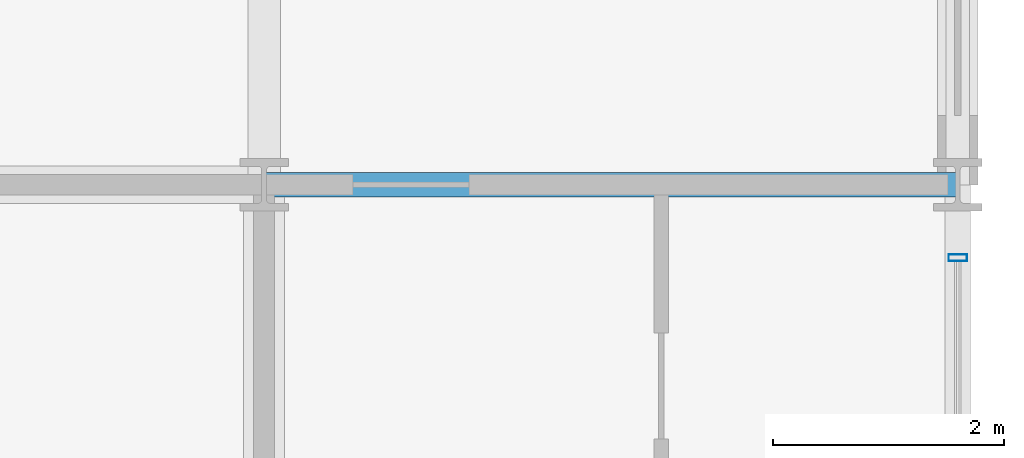
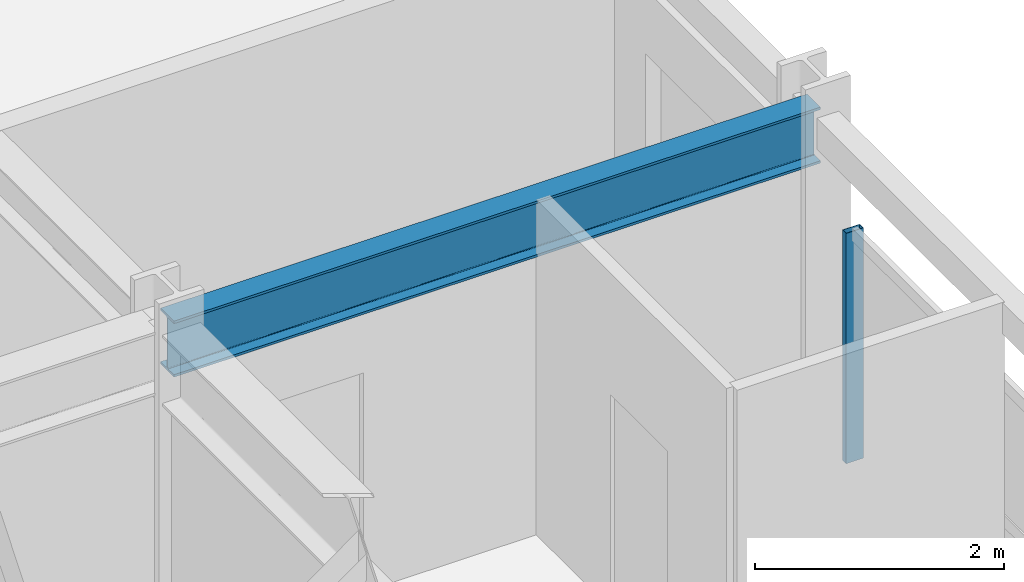
# One storey, part 12 of 26: 1 beam, 1 member, 1 element without a shape of its own.
"""IFC4 building model written with IfcOpenShell, lengths in metres."""

from ifc_helpers import new_model, si_unit, direction, frame, origin, origin_2d, place, context, subcontext, project, spatial, hollow_rectangle, i_section, extrude, material, material_profile, profile_set, type_object, element, aggregate, save


model = new_model("IFC4")

# Units and contexts
model_context = context("Model", 3, precision=1e-05, world=origin(), true_north=direction((0.0, 1.0)))
body_context = subcontext(model_context, "Body", "Model", "MODEL_VIEW")
ifc_project = project(units=[si_unit("LENGTHUNIT", "METRE"), si_unit("AREAUNIT", "SQUARE_METRE"), si_unit("VOLUMEUNIT", "CUBIC_METRE"), si_unit("PLANEANGLEUNIT", "RADIAN"), si_unit("MASSUNIT", "GRAM", prefix="KILO")], contexts=[model_context])

# Site, building, storey
site_placement = place(None, origin())
site = spatial("IfcSite", under=ifc_project, at=site_placement, CompositionType="ELEMENT")
building_placement = place(site_placement, origin())
building = spatial("IfcBuilding", under=site, at=building_placement, Name="Kaldorvane Square Convention Centre", CompositionType="ELEMENT")
storey_placement = place(building_placement, frame((0.0, 0.0, 42.0)))
storey = spatial("IfcBuildingStorey", under=building, at=storey_placement, Name="L09", CompositionType="ELEMENT", Elevation=42.0)

# Beam
ifc_material_1 = material(Name="Steel ASTM A992 Gr. 50", Category="steel")
ifc_material_profile_1 = material_profile(ifc_material_1, i_section(OverallWidth=0.213897705078125, OverallDepth=0.549102783203125, WebThickness=0.0146942138671875, FlangeThickness=0.0236053466796875, FilletRadius=0.0126953125, at=origin_2d()), Name="W21X93")
ifc_profile_set_1 = profile_set([ifc_material_profile_1], Name="Steel ASTM A992 Gr. 50")
beam_type = type_object("IfcBeamType", Name="BM-GR-W21X93", PredefinedType="BEAM", material=ifc_profile_set_1)
beam_placement = place(storey_placement, frame((78.0, 96.0, 3.011505126953125), z_axis=(1.0, 0.0, 0.0), x_axis=(0.0, 1.0, 0.0)))
element("IfcBeam", 1, at=beam_placement, inside=storey, type_object=beam_type, Name="Primary Girder (L09)", PredefinedType="BEAM", context=body_context, shape_type="SweptSolid", body=[
    extrude(i_section(OverallWidth=0.213897705078125, OverallDepth=0.549102783203125, WebThickness=0.0146942138671875, FlangeThickness=0.0236053466796875, FilletRadius=0.0126953125, at=origin_2d()), origin(), (0.0, 0.0, 1.0), 6.0),
])

# Curtain wall, member
ifc_material_2 = material(Name="Anodized Aluminum and Low-E Insulated Glazing", Category="aluminium")
curtain_wall_type = type_object("IfcCurtainWallType", Name="CW-UNI-HTL-A", PredefinedType="USERDEFINED", material=ifc_material_2)
curtain_wall_placement = place(storey_placement, origin())
curtain_wall = element("IfcCurtainWall", 2, at=curtain_wall_placement, inside=storey, type_object=curtain_wall_type, Name="Curtain Wall CW-10 (L09)", ObjectType="UNITISED GLAZING", PredefinedType="USERDEFINED")
ifc_material_profile_2 = material_profile(ifc_material_2, hollow_rectangle(XDim=0.05999755859375, YDim=0.160003662109375, WallThickness=0.003204345703125, at=origin_2d()), Name="CWM-160X60")
ifc_profile_set_2 = profile_set([ifc_material_profile_2], Name="Anodized Aluminum and Low-E Insulated Glazing")
member_type = type_object("IfcMemberType", Name="CW-MUL-160", PredefinedType="MULLION", material=ifc_profile_set_2)
member_placement = place(storey_placement, frame((84.0, 95.3699951171875, 0.149993896484375), z_axis=(0.0, 0.0, 1.0), x_axis=(0.0, 1.0, 0.0)))
member = element("IfcMember", 3, at=member_placement, type_object=member_type, Name="CW-10 mullion 4", PredefinedType="MULLION", context=body_context, shape_type="SweptSolid", body=[
    extrude(hollow_rectangle(XDim=0.05999755859375, YDim=0.160003662109375, WallThickness=0.003204345703125, at=origin_2d()), origin(), (0.0, 0.0, 1.0), 2.260009765625),
])
aggregate(curtain_wall, [member])

save(model, "model.ifc")
